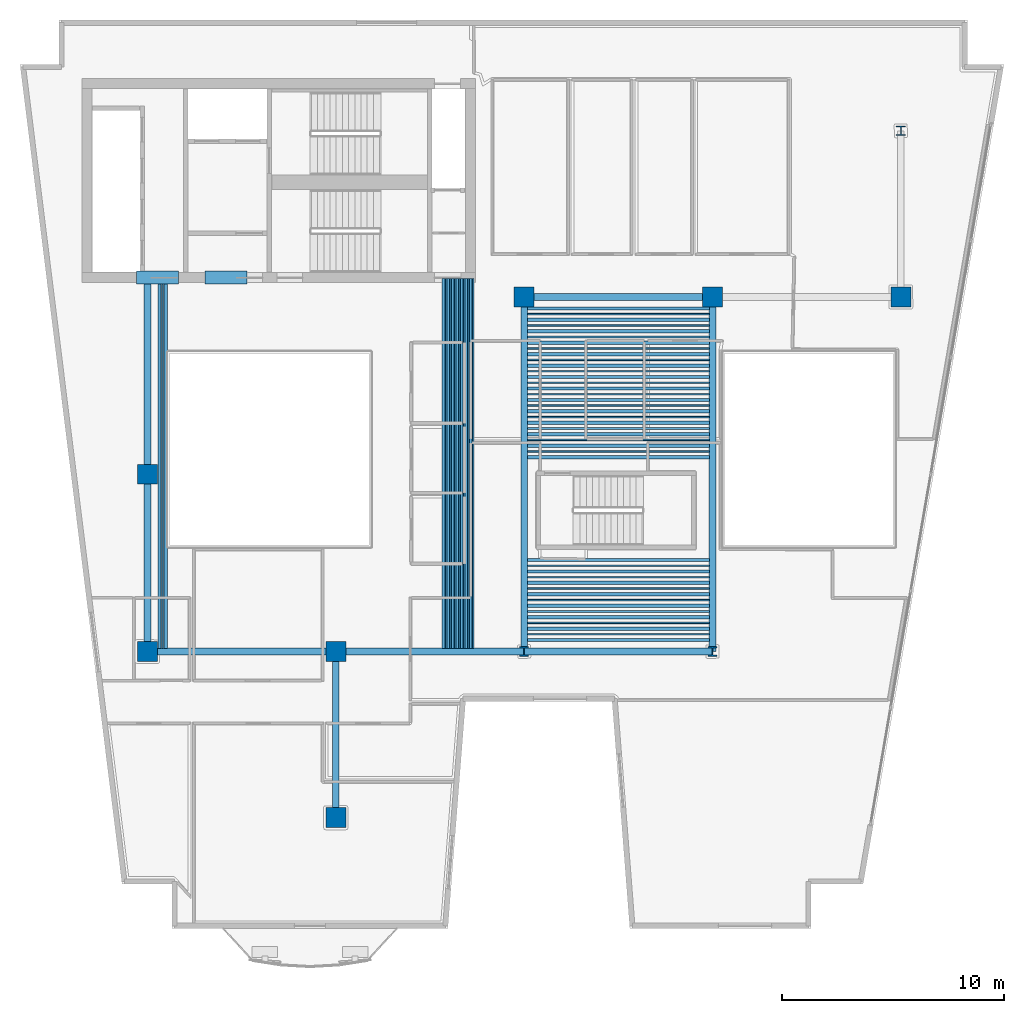
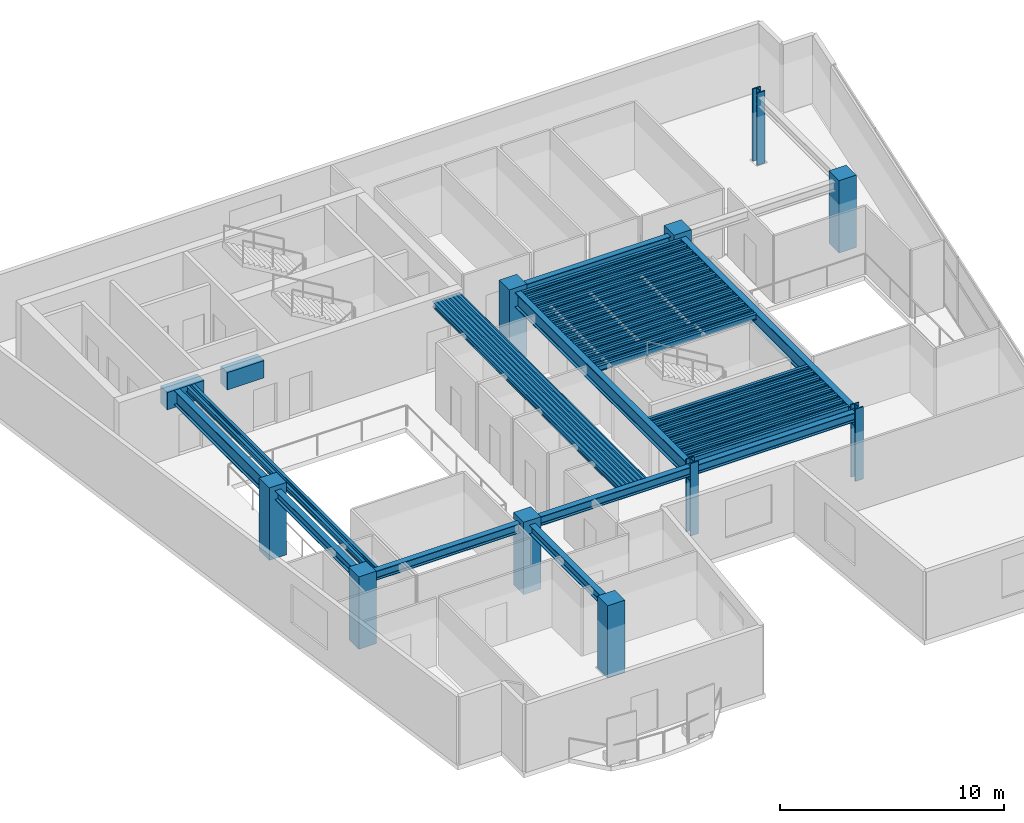
# One storey, part 1 of 10: 70 beams, 10 columns.
"""IFC4 building model written with IfcOpenShell, lengths in metres."""

import ifcopenshell
import ifcopenshell.guid

model = None  # the IFC model being written
_history = None  # IfcOwnerHistory: only IFC2X3 demands one
_inside = {}  # id of a spatial element -> (the spatial element, [elements in it])
_under = {}  # id of a project, library or spatial element -> (it, [spatial elements below it])
_declared = {}  # id of a project -> (the project, [libraries it declares])
_typed = {}  # id of a type object -> (the type object, [elements of that type])
_made_of = {}  # id of a material, layer set ... -> (it, [elements and type objects made of it])


def new_model(schema):
    """Start an empty IFC model of exactly this schema.

    Asked for "IFC4X3", IfcOpenShell would pick the latest addendum, in which some entities
    have other attributes; the version numbers below select the first issue.
    IFC2X3 requires an IfcOwnerHistory on every rooted entity: one is made here for all.
    """
    global model, _history
    if schema == "IFC4X3":
        model = ifcopenshell.file(schema_version=(4, 3, 0, 0))
    else:
        model = ifcopenshell.file(schema=schema)
    _inside.clear()
    _under.clear()
    _declared.clear()
    _typed.clear()
    _made_of.clear()
    _history = None
    if model.schema == "IFC2X3":
        org = make("IfcOrganization", Name="unknown")
        user = make(
            "IfcPersonAndOrganization",
            ThePerson=make("IfcPerson", FamilyName="unknown"),
            TheOrganization=org,
        )
        app = make(
            "IfcApplication",
            ApplicationDeveloper=org,
            Version="unknown",
            ApplicationFullName="unknown",
            ApplicationIdentifier="unknown",
        )
        _history = make(
            "IfcOwnerHistory",
            OwningUser=user,
            OwningApplication=app,
            ChangeAction="ADDED",
            CreationDate=0,
        )
    return model


def make(cls, **values):
    """One entity of the class cls with the attributes given. An attribute that is None is left unset."""
    return model.create_entity(
        cls, **{name: value for name, value in values.items() if value is not None}
    )


def rooted(cls, **values):
    """An entity with a GlobalId (a new one), such as an element, a storey or a relation."""
    return make(cls, GlobalId=ifcopenshell.guid.new(), OwnerHistory=_history, **values)


def si_unit(unit_type, name, prefix=None):
    """IfcSIUnit, for example si_unit("LENGTHUNIT", "METRE", prefix="MILLI")."""
    return make("IfcSIUnit", UnitType=unit_type, Prefix=prefix, Name=name)


def assignment(units):
    """IfcUnitAssignment: the units of a project."""
    return None if units is None else make("IfcUnitAssignment", Units=units)


def point(xyz):
    """IfcCartesianPoint."""
    return None if xyz is None else make("IfcCartesianPoint", Coordinates=xyz)


def direction(xyz):
    """IfcDirection."""
    return None if xyz is None else make("IfcDirection", DirectionRatios=xyz)


def frame(location, z_axis=None, x_axis=None):
    """IfcAxis2Placement3D, a coordinate frame: its origin and axes. An axis left out is left unset."""
    return make(
        "IfcAxis2Placement3D",
        Location=point(location),
        Axis=direction(z_axis),
        RefDirection=direction(x_axis),
    )


def frame_2d(location, x_axis=None):
    """IfcAxis2Placement2D, a coordinate frame in the plane: its origin and x axis."""
    return make(
        "IfcAxis2Placement2D", Location=point(location), RefDirection=direction(x_axis)
    )


def origin():
    """The frame at (0, 0, 0) with its axes left unset."""
    return frame((0.0, 0.0, 0.0))


def origin_2d():
    """The frame at (0, 0) in the plane with its x axis left unset."""
    return frame_2d((0.0, 0.0))


def place(relative_to, where):
    """IfcLocalPlacement: puts the frame where relative to a parent placement (None: the world)."""
    return make(
        "IfcLocalPlacement", PlacementRelTo=relative_to, RelativePlacement=where
    )


def context(
    kind, dimensions, precision=None, world=None, true_north=None, identifier=None
):
    """IfcGeometricRepresentationContext, for example the 3D "Model" context."""
    return make(
        "IfcGeometricRepresentationContext",
        ContextIdentifier=identifier,
        ContextType=kind,
        CoordinateSpaceDimension=dimensions,
        Precision=precision,
        WorldCoordinateSystem=world,
        TrueNorth=true_north,
    )


def subcontext(parent, identifier, kind, view, scale=None):
    """IfcGeometricRepresentationSubContext, for example "Body" below "Model"."""
    return make(
        "IfcGeometricRepresentationSubContext",
        ContextIdentifier=identifier,
        ContextType=kind,
        ParentContext=parent,
        TargetScale=scale,
        TargetView=view,
    )


def project(units=None, contexts=None):
    """IfcProject with its units and contexts."""
    return rooted(
        "IfcProject",
        Name="project",
        RepresentationContexts=contexts,
        UnitsInContext=assignment(units),
    )


def spatial(cls, under=None, at=None, **own):
    """A site, building, storey or space (cls), placed at a placement, below another one or the project."""
    s = rooted(cls, ObjectPlacement=at, **own)
    if under is not None:
        _under.setdefault(under.id(), (under, []))[1].append(s)
    return s


def profile(cls, at=None, kind="AREA", **sizes):
    """A parametric profile (cls). Its sizes go by their IFC names, for example OverallWidth=200.0."""
    return make(cls, ProfileType=kind, Position=at, **sizes)


def rectangle(**sizes):
    """IfcRectangleProfileDef."""
    return profile("IfcRectangleProfileDef", **sizes)


def hollow_rectangle(**sizes):
    """IfcRectangleHollowProfileDef."""
    return profile("IfcRectangleHollowProfileDef", **sizes)


def i_section(**sizes):
    """IfcIShapeProfileDef."""
    return profile("IfcIShapeProfileDef", **sizes)


def extrude(swept, where, along, depth):
    """IfcExtrudedAreaSolid: the profile swept, set in the frame where, extruded along a direction by depth."""
    return make(
        "IfcExtrudedAreaSolid",
        SweptArea=swept,
        Position=where,
        ExtrudedDirection=direction(along),
        Depth=depth,
    )


def shape(context_of_items, identifier, shape_type, items):
    """IfcShapeRepresentation: the items that make up one representation, for example the "Body"."""
    return make(
        "IfcShapeRepresentation",
        ContextOfItems=context_of_items,
        RepresentationIdentifier=identifier,
        RepresentationType=shape_type,
        Items=items,
    )


def material(Name=None, Category=None):
    """IfcMaterial."""
    return make("IfcMaterial", Name=Name, Category=Category)


def material_profile(
    of_material, cross_section, Name=None, Category=None, Priority=None
):
    """IfcMaterialProfile: a cross section and its material."""
    return make(
        "IfcMaterialProfile",
        Name=Name,
        Material=of_material,
        Profile=cross_section,
        Priority=Priority,
        Category=Category,
    )


def profile_set(profiles, Name=None, composite=None):
    """IfcMaterialProfileSet."""
    return make(
        "IfcMaterialProfileSet",
        Name=Name,
        MaterialProfiles=profiles,
        CompositeProfile=composite,
    )


def made_of(thing, what):
    """Note that an element or type object is made of a material, layer set ...; save() writes the relation."""
    if what is not None:
        _made_of.setdefault(what.id(), (what, []))[1].append(thing)
    return thing


def type_object(cls, material=None, **own):
    """A type object (cls), such as IfcWallType, which elements share."""
    return made_of(rooted(cls, **own), material)


def element(
    cls,
    number,
    at=None,
    inside=None,
    cuts=None,
    type_object=None,
    material=None,
    context=None,
    identifier="Body",
    shape_type=None,
    held_by="IfcProductDefinitionShape",
    body=None,
    shapes=None,
    **own,
):
    """One element of the class cls, such as IfcWall. Its Tag is "e" and its number.

    at: its placement. inside: the storey or other place that contains it. cuts: it is an
    opening in that element (IfcRelVoidsElement). A single representation is given by context,
    identifier, shape_type and body (its items); several are given by shapes. held_by: the class
    of the entity that holds the representations. save() writes the other relations.
    """
    e = rooted(cls, Tag="e%d" % number, ObjectPlacement=at, **own)
    if body is not None:
        shapes = [shape(context, identifier, shape_type, body)]
    if shapes is not None:
        e.Representation = make(held_by, Representations=shapes)
    if inside is not None:
        _inside.setdefault(inside.id(), (inside, []))[1].append(e)
    if cuts is not None:
        rooted(
            "IfcRelVoidsElement", RelatingBuildingElement=cuts, RelatedOpeningElement=e
        )
    if type_object is not None:
        _typed.setdefault(type_object.id(), (type_object, []))[1].append(e)
    return made_of(e, material)


def aggregate(whole, parts):
    """IfcRelAggregates: a whole, such as a stair, and the parts it consists of."""
    return rooted("IfcRelAggregates", RelatingObject=whole, RelatedObjects=parts)


def save(model, path):
    """Write the relations noted so far, then the file.

    IfcRelAggregates (storeys below a building ...), IfcRelContainedInSpatialStructure (elements
    in a storey), IfcRelDefinesByType, IfcRelAssociatesMaterial and IfcRelDeclares: one each for
    every whole, place, type object, material and project.
    """
    for whole, parts in _under.values():
        aggregate(whole, parts)
    for where, things in _inside.values():
        rooted(
            "IfcRelContainedInSpatialStructure",
            RelatedElements=things,
            RelatingStructure=where,
        )
    for kind, things in _typed.values():
        rooted("IfcRelDefinesByType", RelatedObjects=things, RelatingType=kind)
    for what, things in _made_of.values():
        rooted("IfcRelAssociatesMaterial", RelatedObjects=things, RelatingMaterial=what)
    for by, libraries in _declared.values():
        rooted("IfcRelDeclares", RelatingContext=by, RelatedDefinitions=libraries)
    model.write(path)


model = new_model("IFC4")

# Units and contexts
model_context = context("Model", 3, precision=1e-05, world=origin(), true_north=direction((0.0, 1.0)))
body_context = subcontext(model_context, "Body", "Model", "MODEL_VIEW")
ifc_project = project(units=[si_unit("LENGTHUNIT", "METRE"), si_unit("AREAUNIT", "SQUARE_METRE"), si_unit("VOLUMEUNIT", "CUBIC_METRE"), si_unit("PLANEANGLEUNIT", "RADIAN"), si_unit("MASSUNIT", "GRAM", prefix="KILO")], contexts=[model_context])

# Site, building, storey
site_placement = place(None, origin())
site = spatial("IfcSite", under=ifc_project, at=site_placement, CompositionType="ELEMENT")
building_placement = place(site_placement, origin())
building = spatial("IfcBuilding", under=site, at=building_placement, Name="Caeloran Harvest Quay", CompositionType="ELEMENT")
storey_placement = place(building_placement, frame((0.0, 0.0, 223.25)))
storey = spatial("IfcBuildingStorey", under=building, at=storey_placement, Name="L53", CompositionType="ELEMENT", Elevation=223.25)

# Columns
ifc_material_1 = material(Name="Concrete C60/75", Category="concrete")
ifc_material_profile_1 = material_profile(ifc_material_1, rectangle(XDim=0.89990234375, YDim=0.89990234375, at=origin_2d()), Name="RC 900x900")
ifc_profile_set_1 = profile_set([ifc_material_profile_1], Name="Concrete C60/75")
column_type_1 = type_object("IfcColumnType", Name="COL-MC-4-RC_900x900", PredefinedType="COLUMN", material=ifc_profile_set_1)
for number, where, z_axis, x_axis, name in (
    (1, (8.5, 15.0, 0.0), (0.0, 0.0, 1.0), (1.0, 0.0, 0.0), "L53 Structural Column (8.5, 15.0)"),
    (2, (8.5, 23.0, 0.0), (0.0, 0.0, 1.0), (1.0, 0.0, 0.0), "L53 Structural Column (8.5, 23.0)"),
    (3, (17.0, 7.5, 0.0), (0.0, 0.0, 1.0), (1.0, 0.0, 0.0), "L53 Structural Column (17.0, 7.5)"),
    (4, (17.0, 15.0, 0.0), (0.0, 0.0, 1.0), (1.0, 0.0, 0.0), "L53 Structural Column (17.0, 15.0)"),
    (5, (25.5, 31.0, 0.0), (0.0, 0.0, 1.0), (1.0, 0.0, 0.0), "L53 Structural Column (25.5, 31.0)"),
    (6, (34.0, 31.0, 0.0), (0.0, 0.0, 1.0), (1.0, 0.0, 0.0), "L53 Structural Column (34.0, 31.0)"),
    (7, (42.5, 31.0, 0.0), (0.0, 0.0, 1.0), (1.0, 0.0, 0.0), "L53 Structural Column (42.5, 31.0)"),
):
    element("IfcColumn", number, at=place(storey_placement, frame(where, z_axis=z_axis, x_axis=x_axis)), inside=storey, type_object=column_type_1, Name=name, PredefinedType="COLUMN", context=body_context, shape_type="SweptSolid", body=[
        extrude(rectangle(XDim=0.89990234375, YDim=0.89990234375, at=origin_2d()), origin(), (0.0, 0.0, 1.0), 3.949951171875),
    ])
ifc_material_2 = material(Name="Steel HISTAR 460", Category="steel")
ifc_material_profile_2 = material_profile(ifc_material_2, i_section(OverallWidth=0.416015625, OverallDepth=0.446044921875, WebThickness=0.0390625, FlangeThickness=0.062744140625, FilletRadius=0.014892578125, at=origin_2d()), Name="HD 400x509")
ifc_profile_set_2 = profile_set([ifc_material_profile_2], Name="Steel HISTAR 460")
column_type_2 = type_object("IfcColumnType", Name="COL-SC-4-HD_400x509", PredefinedType="COLUMN", material=ifc_profile_set_2)
for number, where, z_axis, x_axis, name in (
    (8, (25.5, 15.0, 0.0), (0.0, 0.0, 1.0), (1.0, 0.0, 0.0), "L53 Structural Column (25.5, 15.0)"),
    (9, (34.0, 15.0, 0.0), (0.0, 0.0, 1.0), (1.0, 0.0, 0.0), "L53 Structural Column (34.0, 15.0)"),
    (10, (42.5, 38.5, 0.0), (0.0, 0.0, 1.0), (1.0, 0.0, 0.0), "L53 Structural Column (42.5, 38.5)"),
):
    element("IfcColumn", number, at=place(storey_placement, frame(where, z_axis=z_axis, x_axis=x_axis)), inside=storey, type_object=column_type_2, Name=name, PredefinedType="COLUMN", context=body_context, shape_type="SweptSolid", body=[
        extrude(i_section(OverallWidth=0.416015625, OverallDepth=0.446044921875, WebThickness=0.0390625, FlangeThickness=0.062744140625, FilletRadius=0.014892578125, at=origin_2d()), origin(), (0.0, 0.0, 1.0), 3.949951171875),
    ])

# Beams
ifc_material_profile_3 = material_profile(ifc_material_1, rectangle(XDim=0.60009765625, YDim=0.949951171875, at=origin_2d()), Name="RC 600x950")
ifc_profile_set_3 = profile_set([ifc_material_profile_3], Name="Concrete C60/75")
beam_type_1 = type_object("IfcBeamType", Name="BM-CB-2-RC_600x950", PredefinedType="LINTEL", material=ifc_profile_set_3)
for number, where, z_axis, x_axis, name in (
    (11, (8.0, 31.875, 3.22509765625), (1.0, 0.0, 0.0), (0.0, 1.0, 0.0), "L53 Core Coupling Beam 1"),
    (12, (11.10009765625, 31.875, 3.22509765625), (1.0, 0.0, 0.0), (0.0, 1.0, 0.0), "L53 Core Coupling Beam 2"),
):
    element("IfcBeam", number, at=place(storey_placement, frame(where, z_axis=z_axis, x_axis=x_axis)), inside=storey, type_object=beam_type_1, Name=name, PredefinedType="LINTEL", context=body_context, shape_type="SweptSolid", body=[
        extrude(rectangle(XDim=0.60009765625, YDim=0.949951171875, at=origin_2d()), origin(), (0.0, 0.0, 1.0), 1.89990234375),
    ])
ifc_material_3 = material(Name="Steel S355J2", Category="steel")
ifc_material_profile_4 = material_profile(ifc_material_3, i_section(OverallWidth=0.300048828125, OverallDepth=0.800048828125, WebThickness=0.017578125, FlangeThickness=0.032958984375, FilletRadius=0.030029296875, at=origin_2d()), Name="HE 800 B")
ifc_profile_set_4 = profile_set([ifc_material_profile_4], Name="Steel S355J2")
beam_type_2 = type_object("IfcBeamType", Name="BM-PG-1-HE_800_B", PredefinedType="BEAM", material=ifc_profile_set_4)
beam_1_placement = place(storey_placement, frame((8.5, 23.0, 3.300048828125), z_axis=(0.0, 1.0, 0.0), x_axis=(-1.0, 0.0, 0.0)))
element("IfcBeam", 13, at=beam_1_placement, inside=storey, type_object=beam_type_2, Name="L53 Core South Tie Girder X=8.5", PredefinedType="BEAM", context=body_context, shape_type="SweptSolid", body=[
    extrude(i_section(OverallWidth=0.300048828125, OverallDepth=0.800048828125, WebThickness=0.017578125, FlangeThickness=0.032958984375, FilletRadius=0.030029296875, at=origin_2d()), origin(), (0.0, 0.0, 1.0), 8.824951171875),
])
for number, where, z_axis, x_axis, name in (
    (14, (25.5, 15.0, 3.300048828125), (0.0, 1.0, 0.0), (-1.0, 0.0, 0.0), "L53 Primary North-South Girder X=25.5"),
    (15, (34.0, 15.0, 3.300048828125), (0.0, 1.0, 0.0), (-1.0, 0.0, 0.0), "L53 Primary North-South Girder X=34.0"),
):
    element("IfcBeam", number, at=place(storey_placement, frame(where, z_axis=z_axis, x_axis=x_axis)), inside=storey, type_object=beam_type_2, Name=name, PredefinedType="BEAM", context=body_context, shape_type="SweptSolid", body=[
        extrude(i_section(OverallWidth=0.300048828125, OverallDepth=0.800048828125, WebThickness=0.017578125, FlangeThickness=0.032958984375, FilletRadius=0.030029296875, at=origin_2d()), origin(), (0.0, 0.0, 1.0), 16.0),
    ])
ifc_material_profile_5 = material_profile(ifc_material_3, i_section(OverallWidth=0.300048828125, OverallDepth=0.5, WebThickness=0.014404296875, FlangeThickness=0.028076171875, FilletRadius=0.027099609375, at=origin_2d()), Name="HE 500 B")
ifc_profile_set_5 = profile_set([ifc_material_profile_5], Name="Steel S355J2")
beam_type_3 = type_object("IfcBeamType", Name="BM-PG-4-HE_500_B", PredefinedType="BEAM", material=ifc_profile_set_5)
for number, where, z_axis, x_axis, name in (
    (16, (8.5, 15.0, 3.449951171875), (1.0, 0.0, 0.0), (0.0, 1.0, 0.0), "L53 Primary East-West Girder Y=15.0"),
    (17, (17.0, 15.0, 3.449951171875), (1.0, 0.0, 0.0), (0.0, 1.0, 0.0), "L53 Primary East-West Girder Y=15.0"),
    (18, (25.5, 15.0, 3.449951171875), (1.0, 0.0, 0.0), (0.0, 1.0, 0.0), "L53 Primary East-West Girder Y=15.0"),
    (19, (25.5, 31.0, 3.449951171875), (1.0, 0.0, 0.0), (0.0, 1.0, 0.0), "L53 Primary East-West Girder Y=31.0"),
):
    element("IfcBeam", number, at=place(storey_placement, frame(where, z_axis=z_axis, x_axis=x_axis)), inside=storey, type_object=beam_type_3, Name=name, PredefinedType="BEAM", context=body_context, shape_type="SweptSolid", body=[
        extrude(i_section(OverallWidth=0.300048828125, OverallDepth=0.5, WebThickness=0.014404296875, FlangeThickness=0.028076171875, FilletRadius=0.027099609375, at=origin_2d()), origin(), (0.0, 0.0, 1.0), 8.5),
    ])
beam_2_placement = place(storey_placement, frame((8.5, 15.0, 3.449951171875), z_axis=(0.0, 1.0, 0.0), x_axis=(-1.0, 0.0, 0.0)))
element("IfcBeam", 20, at=beam_2_placement, inside=storey, type_object=beam_type_3, Name="L53 Primary North-South Girder X=8.5", PredefinedType="BEAM", context=body_context, shape_type="SweptSolid", body=[
    extrude(i_section(OverallWidth=0.300048828125, OverallDepth=0.5, WebThickness=0.014404296875, FlangeThickness=0.028076171875, FilletRadius=0.027099609375, at=origin_2d()), origin(), (0.0, 0.0, 1.0), 8.0),
])
beam_3_placement = place(storey_placement, frame((17.0, 7.5, 3.449951171875), z_axis=(0.0, 1.0, 0.0), x_axis=(-1.0, 0.0, 0.0)))
element("IfcBeam", 21, at=beam_3_placement, inside=storey, type_object=beam_type_3, Name="L53 Primary North-South Girder X=17.0", PredefinedType="BEAM", context=body_context, shape_type="SweptSolid", body=[
    extrude(i_section(OverallWidth=0.300048828125, OverallDepth=0.5, WebThickness=0.014404296875, FlangeThickness=0.028076171875, FilletRadius=0.027099609375, at=origin_2d()), origin(), (0.0, 0.0, 1.0), 7.5),
])
ifc_material_profile_6 = material_profile(ifc_material_3, i_section(OverallWidth=0.14990234375, OverallDepth=0.300048828125, WebThickness=0.007080078125, FlangeThickness=0.0107421875, FilletRadius=0.014892578125, at=origin_2d()), Name="IPE 300")
ifc_profile_set_6 = profile_set([ifc_material_profile_6], Name="Steel S355J2")
beam_type_4 = type_object("IfcBeamType", Name="BM-SB-6-IPE_300", PredefinedType="JOIST", material=ifc_profile_set_6)
for number, where, z_axis, x_axis, name in (
    (22, (9.04833984375, 15.14501953125, 3.550048828125), (0.0, 1.0, 0.0), (-1.0, 0.0, 0.0), "L53 Secondary Composite Joist"),
    (23, (9.322509765625, 15.14501953125, 3.550048828125), (0.0, 1.0, 0.0), (-1.0, 0.0, 0.0), "L53 Secondary Composite Joist"),
    (24, (21.87744140625, 15.14501953125, 3.550048828125), (0.0, 1.0, 0.0), (-1.0, 0.0, 0.0), "L53 Secondary Composite Joist"),
    (25, (22.08056640625, 15.14501953125, 3.550048828125), (0.0, 1.0, 0.0), (-1.0, 0.0, 0.0), "L53 Secondary Composite Joist"),
    (26, (22.283935546875, 15.14501953125, 3.550048828125), (0.0, 1.0, 0.0), (-1.0, 0.0, 0.0), "L53 Secondary Composite Joist"),
    (27, (22.487060546875, 15.14501953125, 3.550048828125), (0.0, 1.0, 0.0), (-1.0, 0.0, 0.0), "L53 Secondary Composite Joist"),
    (28, (22.690185546875, 15.14501953125, 3.550048828125), (0.0, 1.0, 0.0), (-1.0, 0.0, 0.0), "L53 Secondary Composite Joist"),
    (29, (22.8935546875, 15.14501953125, 3.550048828125), (0.0, 1.0, 0.0), (-1.0, 0.0, 0.0), "L53 Secondary Composite Joist"),
    (30, (23.0966796875, 15.14501953125, 3.550048828125), (0.0, 1.0, 0.0), (-1.0, 0.0, 0.0), "L53 Secondary Composite Joist"),
):
    element("IfcBeam", number, at=place(storey_placement, frame(where, z_axis=z_axis, x_axis=x_axis)), inside=storey, type_object=beam_type_4, Name=name, PredefinedType="JOIST", context=body_context, shape_type="SweptSolid", body=[
        extrude(i_section(OverallWidth=0.14990234375, OverallDepth=0.300048828125, WebThickness=0.007080078125, FlangeThickness=0.0107421875, FilletRadius=0.014892578125, at=origin_2d()), origin(), (0.0, 0.0, 1.0), 16.679931640625),
    ])
for number, where, z_axis, x_axis, name in (
    (31, (25.64501953125, 15.51611328125, 3.550048828125), (1.0, 0.0, 0.0), (0.0, 1.0, 0.0), "L53 Secondary East-West Composite Joist"),
    (32, (25.64501953125, 16.0322265625, 3.550048828125), (1.0, 0.0, 0.0), (0.0, 1.0, 0.0), "L53 Secondary East-West Composite Joist"),
    (33, (25.64501953125, 16.54833984375, 3.550048828125), (1.0, 0.0, 0.0), (0.0, 1.0, 0.0), "L53 Secondary East-West Composite Joist"),
    (34, (25.64501953125, 17.064453125, 3.550048828125), (1.0, 0.0, 0.0), (0.0, 1.0, 0.0), "L53 Secondary East-West Composite Joist"),
    (35, (25.64501953125, 17.58056640625, 3.550048828125), (1.0, 0.0, 0.0), (0.0, 1.0, 0.0), "L53 Secondary East-West Composite Joist"),
    (36, (25.64501953125, 18.0966796875, 3.550048828125), (1.0, 0.0, 0.0), (0.0, 1.0, 0.0), "L53 Secondary East-West Composite Joist"),
    (37, (25.64501953125, 18.61279296875, 3.550048828125), (1.0, 0.0, 0.0), (0.0, 1.0, 0.0), "L53 Secondary East-West Composite Joist"),
    (38, (25.64501953125, 19.12890625, 3.550048828125), (1.0, 0.0, 0.0), (0.0, 1.0, 0.0), "L53 Secondary East-West Composite Joist"),
    (39, (25.64501953125, 23.774169921875, 3.550048828125), (1.0, 0.0, 0.0), (0.0, 1.0, 0.0), "L53 Secondary East-West Composite Joist"),
    (40, (25.64501953125, 24.290283203125, 3.550048828125), (1.0, 0.0, 0.0), (0.0, 1.0, 0.0), "L53 Secondary East-West Composite Joist"),
    (41, (25.64501953125, 24.806396484375, 3.550048828125), (1.0, 0.0, 0.0), (0.0, 1.0, 0.0), "L53 Secondary East-West Composite Joist"),
    (42, (25.64501953125, 25.322509765625, 3.550048828125), (1.0, 0.0, 0.0), (0.0, 1.0, 0.0), "L53 Secondary East-West Composite Joist"),
    (43, (25.64501953125, 25.838623046875, 3.550048828125), (1.0, 0.0, 0.0), (0.0, 1.0, 0.0), "L53 Secondary East-West Composite Joist"),
    (44, (25.64501953125, 26.354736328125, 3.550048828125), (1.0, 0.0, 0.0), (0.0, 1.0, 0.0), "L53 Secondary East-West Composite Joist"),
    (45, (25.64501953125, 26.87109375, 3.550048828125), (1.0, 0.0, 0.0), (0.0, 1.0, 0.0), "L53 Secondary East-West Composite Joist"),
    (46, (25.64501953125, 27.38720703125, 3.550048828125), (1.0, 0.0, 0.0), (0.0, 1.0, 0.0), "L53 Secondary East-West Composite Joist"),
    (47, (25.64501953125, 27.9033203125, 3.550048828125), (1.0, 0.0, 0.0), (0.0, 1.0, 0.0), "L53 Secondary East-West Composite Joist"),
    (48, (25.64501953125, 28.41943359375, 3.550048828125), (1.0, 0.0, 0.0), (0.0, 1.0, 0.0), "L53 Secondary East-West Composite Joist"),
    (49, (25.64501953125, 28.935546875, 3.550048828125), (1.0, 0.0, 0.0), (0.0, 1.0, 0.0), "L53 Secondary East-West Composite Joist"),
    (50, (25.64501953125, 29.45166015625, 3.550048828125), (1.0, 0.0, 0.0), (0.0, 1.0, 0.0), "L53 Secondary East-West Composite Joist"),
    (51, (25.64501953125, 29.9677734375, 3.550048828125), (1.0, 0.0, 0.0), (0.0, 1.0, 0.0), "L53 Secondary East-West Composite Joist"),
    (52, (25.64501953125, 30.48388671875, 3.550048828125), (1.0, 0.0, 0.0), (0.0, 1.0, 0.0), "L53 Secondary East-West Composite Joist"),
):
    element("IfcBeam", number, at=place(storey_placement, frame(where, z_axis=z_axis, x_axis=x_axis)), inside=storey, type_object=beam_type_4, Name=name, PredefinedType="JOIST", context=body_context, shape_type="SweptSolid", body=[
        extrude(i_section(OverallWidth=0.14990234375, OverallDepth=0.300048828125, WebThickness=0.007080078125, FlangeThickness=0.0107421875, FilletRadius=0.014892578125, at=origin_2d()), origin(), (0.0, 0.0, 1.0), 8.2099609375),
    ])
ifc_material_profile_7 = material_profile(ifc_material_3, hollow_rectangle(XDim=0.080078125, YDim=0.199951171875, WallThickness=0.006103515625, InnerFilletRadius=0.006103515625, OuterFilletRadius=0.009033203125, at=origin_2d()), Name="RHS 200x80x6")
ifc_profile_set_7 = profile_set([ifc_material_profile_7], Name="Steel S355J2")
beam_type_5 = type_object("IfcBeamType", Name="BM-SB-7-RHS_200x80x6", PredefinedType="JOIST", material=ifc_profile_set_7)
for number, where, z_axis, x_axis, name in (
    (53, (9.185546875, 15.14501953125, 3.60009765625), (0.0, 1.0, 0.0), (-1.0, 0.0, 0.0), "L53 Secondary Composite Joist"),
    (54, (21.97900390625, 15.14501953125, 3.60009765625), (0.0, 1.0, 0.0), (-1.0, 0.0, 0.0), "L53 Secondary Composite Joist"),
    (55, (22.182373046875, 15.14501953125, 3.60009765625), (0.0, 1.0, 0.0), (-1.0, 0.0, 0.0), "L53 Secondary Composite Joist"),
    (56, (22.385498046875, 15.14501953125, 3.60009765625), (0.0, 1.0, 0.0), (-1.0, 0.0, 0.0), "L53 Secondary Composite Joist"),
    (57, (22.588623046875, 15.14501953125, 3.60009765625), (0.0, 1.0, 0.0), (-1.0, 0.0, 0.0), "L53 Secondary Composite Joist"),
    (58, (22.7919921875, 15.14501953125, 3.60009765625), (0.0, 1.0, 0.0), (-1.0, 0.0, 0.0), "L53 Secondary Composite Joist"),
    (59, (22.9951171875, 15.14501953125, 3.60009765625), (0.0, 1.0, 0.0), (-1.0, 0.0, 0.0), "L53 Secondary Composite Joist"),
    (60, (23.198486328125, 15.14501953125, 3.60009765625), (0.0, 1.0, 0.0), (-1.0, 0.0, 0.0), "L53 Secondary Composite Joist"),
):
    element("IfcBeam", number, at=place(storey_placement, frame(where, z_axis=z_axis, x_axis=x_axis)), inside=storey, type_object=beam_type_5, Name=name, PredefinedType="JOIST", context=body_context, shape_type="SweptSolid", body=[
        extrude(hollow_rectangle(XDim=0.080078125, YDim=0.199951171875, WallThickness=0.006103515625, InnerFilletRadius=0.006103515625, OuterFilletRadius=0.009033203125, at=origin_2d()), origin(), (0.0, 0.0, 1.0), 16.679931640625),
    ])
for number, where, z_axis, x_axis, name in (
    (61, (25.64501953125, 15.774169921875, 3.60009765625), (1.0, 0.0, 0.0), (0.0, 1.0, 0.0), "L53 Secondary East-West Composite Joist"),
    (62, (25.64501953125, 16.290283203125, 3.60009765625), (1.0, 0.0, 0.0), (0.0, 1.0, 0.0), "L53 Secondary East-West Composite Joist"),
    (63, (25.64501953125, 16.806396484375, 3.60009765625), (1.0, 0.0, 0.0), (0.0, 1.0, 0.0), "L53 Secondary East-West Composite Joist"),
    (64, (25.64501953125, 17.322509765625, 3.60009765625), (1.0, 0.0, 0.0), (0.0, 1.0, 0.0), "L53 Secondary East-West Composite Joist"),
    (65, (25.64501953125, 17.838623046875, 3.60009765625), (1.0, 0.0, 0.0), (0.0, 1.0, 0.0), "L53 Secondary East-West Composite Joist"),
    (66, (25.64501953125, 18.354736328125, 3.60009765625), (1.0, 0.0, 0.0), (0.0, 1.0, 0.0), "L53 Secondary East-West Composite Joist"),
    (67, (25.64501953125, 18.87109375, 3.60009765625), (1.0, 0.0, 0.0), (0.0, 1.0, 0.0), "L53 Secondary East-West Composite Joist"),
    (68, (25.64501953125, 24.0322265625, 3.60009765625), (1.0, 0.0, 0.0), (0.0, 1.0, 0.0), "L53 Secondary East-West Composite Joist"),
    (69, (25.64501953125, 24.54833984375, 3.60009765625), (1.0, 0.0, 0.0), (0.0, 1.0, 0.0), "L53 Secondary East-West Composite Joist"),
    (70, (25.64501953125, 25.064453125, 3.60009765625), (1.0, 0.0, 0.0), (0.0, 1.0, 0.0), "L53 Secondary East-West Composite Joist"),
    (71, (25.64501953125, 25.58056640625, 3.60009765625), (1.0, 0.0, 0.0), (0.0, 1.0, 0.0), "L53 Secondary East-West Composite Joist"),
    (72, (25.64501953125, 26.0966796875, 3.60009765625), (1.0, 0.0, 0.0), (0.0, 1.0, 0.0), "L53 Secondary East-West Composite Joist"),
    (73, (25.64501953125, 26.61279296875, 3.60009765625), (1.0, 0.0, 0.0), (0.0, 1.0, 0.0), "L53 Secondary East-West Composite Joist"),
    (74, (25.64501953125, 27.12890625, 3.60009765625), (1.0, 0.0, 0.0), (0.0, 1.0, 0.0), "L53 Secondary East-West Composite Joist"),
    (75, (25.64501953125, 27.645263671875, 3.60009765625), (1.0, 0.0, 0.0), (0.0, 1.0, 0.0), "L53 Secondary East-West Composite Joist"),
    (76, (25.64501953125, 28.161376953125, 3.60009765625), (1.0, 0.0, 0.0), (0.0, 1.0, 0.0), "L53 Secondary East-West Composite Joist"),
    (77, (25.64501953125, 28.677490234375, 3.60009765625), (1.0, 0.0, 0.0), (0.0, 1.0, 0.0), "L53 Secondary East-West Composite Joist"),
    (78, (25.64501953125, 29.193603515625, 3.60009765625), (1.0, 0.0, 0.0), (0.0, 1.0, 0.0), "L53 Secondary East-West Composite Joist"),
    (79, (25.64501953125, 29.709716796875, 3.60009765625), (1.0, 0.0, 0.0), (0.0, 1.0, 0.0), "L53 Secondary East-West Composite Joist"),
    (80, (25.64501953125, 30.225830078125, 3.60009765625), (1.0, 0.0, 0.0), (0.0, 1.0, 0.0), "L53 Secondary East-West Composite Joist"),
):
    element("IfcBeam", number, at=place(storey_placement, frame(where, z_axis=z_axis, x_axis=x_axis)), inside=storey, type_object=beam_type_5, Name=name, PredefinedType="JOIST", context=body_context, shape_type="SweptSolid", body=[
        extrude(hollow_rectangle(XDim=0.080078125, YDim=0.199951171875, WallThickness=0.006103515625, InnerFilletRadius=0.006103515625, OuterFilletRadius=0.009033203125, at=origin_2d()), origin(), (0.0, 0.0, 1.0), 8.2099609375),
    ])

save(model, "model.ifc")
